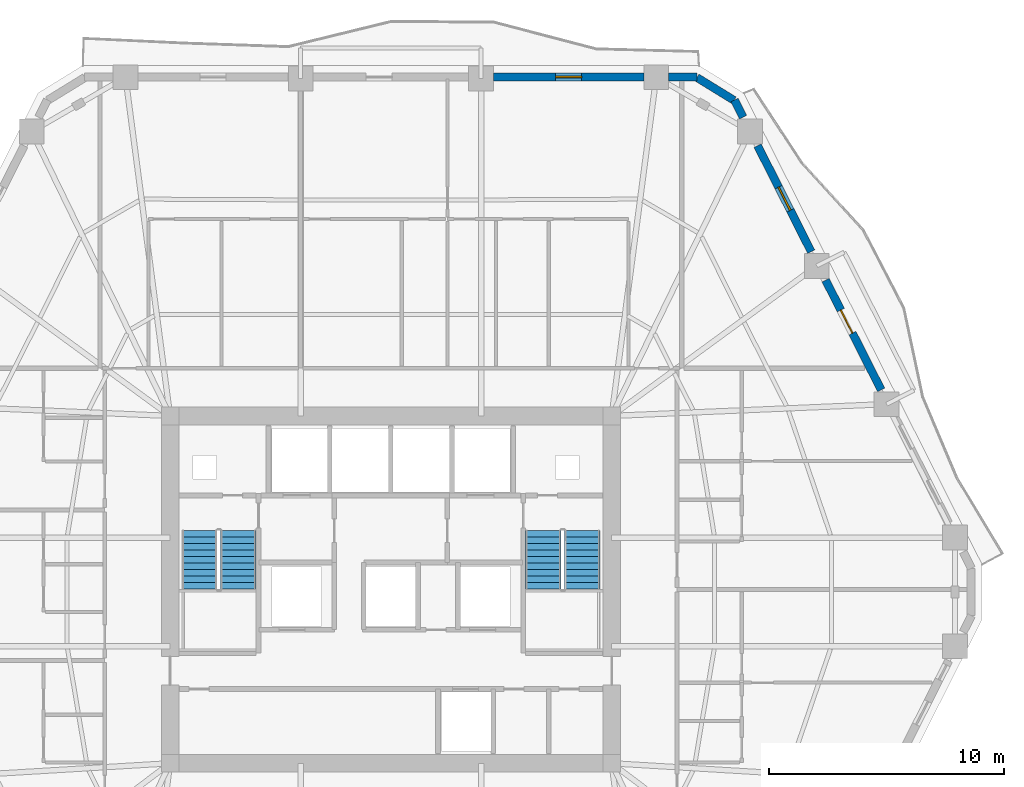
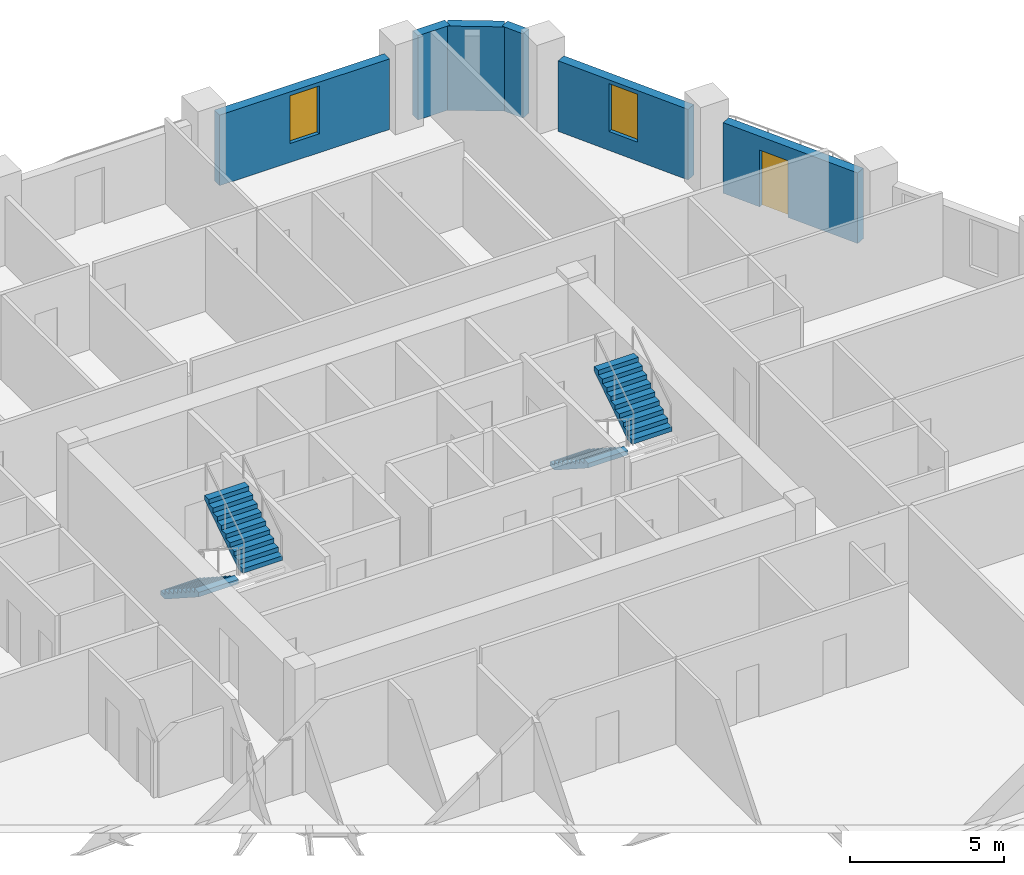
# One storey, part 8 of 11: 6 walls, 4 stair flights, 2 windows, 1 door, 3 openings, 2 elements without a shape of their own.
"""IFC4 building model written with IfcOpenShell, lengths in metres."""

from ifc_helpers import new_model, si_unit, direction, frame, frame_2d, origin, place, context, subcontext, project, spatial, polyline, rectangle, outline, extrude, material, layer, layer_set, type_object, element, fill, aggregate, save


model = new_model("IFC4")

# Units and contexts
model_context = context("Model", 3, precision=1e-05, world=origin(), true_north=direction((0.0, 1.0)))
body_context = subcontext(model_context, "Body", "Model", "MODEL_VIEW")
ifc_project = project(units=[si_unit("LENGTHUNIT", "METRE"), si_unit("AREAUNIT", "SQUARE_METRE"), si_unit("VOLUMEUNIT", "CUBIC_METRE"), si_unit("PLANEANGLEUNIT", "RADIAN"), si_unit("MASSUNIT", "GRAM", prefix="KILO")], contexts=[model_context])

# Site, building, storey
site_placement = place(None, origin())
site = spatial("IfcSite", under=ifc_project, at=site_placement, CompositionType="ELEMENT")
building_placement = place(site_placement, origin())
building = spatial("IfcBuilding", under=site, at=building_placement, Name="Cinnabar Lancet Tower", CompositionType="ELEMENT")
storey_placement = place(building_placement, frame((0.0, 0.0, 133.89990234375)))
storey = spatial("IfcBuildingStorey", under=building, at=storey_placement, Name="L35", CompositionType="ELEMENT", Elevation=133.89990234375)

# Wall
ifc_material_1 = material(Name="Cinnabar red clay brick", Category="masonry")
ifc_layer = layer(ifc_material_1, 0.340087890625)
ifc_layer_set = layer_set([ifc_layer], Name="Cinnabar red clay brick")
wall_type = type_object("IfcWallType", Name="ENV-WL-BRK-RED-340", PredefinedType="STANDARD", material=ifc_layer_set)
wall_1_placement = place(storey_placement, frame((46.970947265625, 46.677001953125, 0.0), z_axis=(0.0, 0.0, 1.0), x_axis=(-0.851798915137, 0.523868884523, 0.0)))
element("IfcWall", 1, at=wall_1_placement, inside=storey, type_object=wall_type, Name="L35 Chamfered Corner Brick Pier 4.1", PredefinedType="STANDARD", context=body_context, shape_type="SweptSolid", body=[
    extrude(rectangle(XDim=1.847900390625, YDim=0.340087890625, at=frame_2d((0.923828125, 0.0))), origin(), (0.0, 0.0, 1.0), 3.340087890625),
])

# Wall, opening, door
wall_2_placement = place(storey_placement, frame((53.219970703125, 34.382080078125, 0.0), z_axis=(0.0, 0.0, 1.0), x_axis=(-0.451567731634, 0.892236842855, 0.0)))
wall_2 = element("IfcWall", 2, at=wall_2_placement, inside=storey, type_object=wall_type, Name="L35 Face 3 Masonry Bay Wall 3", PredefinedType="STANDARD", context=body_context, shape_type="SweptSolid", body=[
    extrude(rectangle(XDim=5.219482421875, YDim=0.340087890625, at=frame_2d((2.60986328125, 0.0))), origin(), (0.0, 0.0, 1.0), 2.797119140625),
])
opening_1_placement = place(wall_2_placement, frame((2.698974609375, 0.0, 0.0)))
opening_1 = element("IfcOpeningElement", 3, at=opening_1_placement, cuts=wall_2, Name="Opening TD-01", PredefinedType="OPENING", context=body_context, shape_type="SweptSolid", body=[
    extrude(rectangle(XDim=1.10009765625, YDim=2.25, at=frame_2d((0.550048828125, 1.125))), frame((0.0, 0.179931640625, 0.0), z_axis=(0.0, -1.0, 0.0), x_axis=(1.0, 0.0, 0.0)), (0.0, 0.0, 1.0), 0.360107421875),
])
ifc_material_2 = material(Name="Thermally broken low-E glazed balcony terrace door", Category="wood")
door_type = type_object("IfcDoorType", Name="ARC-DR-BALC", OperationType="NOTDEFINED", PredefinedType="DOOR", material=ifc_material_2)
door_placement = place(opening_1_placement, origin())
door = element("IfcDoor", 4, at=door_placement, inside=storey, type_object=door_type, Name="L35 Face 3 Glazed Terrace Door", OperationType="SINGLE_SWING_RIGHT", OverallHeight=2.25, OverallWidth=1.10009765625, PredefinedType="DOOR", context=body_context, shape_type="SweptSolid", body=[
    extrude(rectangle(XDim=1.10009765625, YDim=2.25, at=frame_2d((0.550048828125, 1.125))), frame((0.0, 0.02490234375, 0.0), z_axis=(0.0, -1.0, 0.0), x_axis=(1.0, 0.0, 0.0)), (0.0, 0.0, 1.0), 0.050048828125),
])
fill(opening_1, door)

# Wall, opening, window
wall_3_placement = place(storey_placement, frame((50.2509765625, 40.2509765625, 0.0), z_axis=(0.0, 0.0, 1.0), x_axis=(-0.451548465867, 0.892246593142, 0.0)))
wall_3 = element("IfcWall", 5, at=wall_3_placement, inside=storey, type_object=wall_type, Name="L35 Face 3 Masonry Bay Wall 4", PredefinedType="STANDARD", context=body_context, shape_type="SweptSolid", body=[
    extrude(rectangle(XDim=5.040283203125, YDim=0.340087890625, at=frame_2d((2.52001953125, 0.0))), origin(), (0.0, 0.0, 1.0), 2.797119140625),
])
opening_2_placement = place(wall_3_placement, frame((1.969970703125, 0.0, 0.75)))
opening_2 = element("IfcOpeningElement", 6, at=opening_2_placement, cuts=wall_3, Name="Opening WN-04", PredefinedType="OPENING", context=body_context, shape_type="SweptSolid", body=[
    extrude(rectangle(XDim=1.10009765625, YDim=1.89697265625, at=frame_2d((0.550048828125, 0.948486328125))), frame((0.0, 0.179931640625, 0.0), z_axis=(0.0, -1.0, 0.0), x_axis=(1.0, 0.0, 0.0)), (0.0, 0.0, 1.0), 0.360107421875),
])
ifc_material_3 = material(Name="Thermally broken bronze-anodized aluminium tall lancet window", Category="aluminium")
window_type = type_object("IfcWindowType", Name="ENV-WN-LANCET-1100", PartitioningType="SINGLE_PANEL", PredefinedType="WINDOW", material=ifc_material_3)
window_1_placement = place(opening_2_placement, origin())
window_1 = element("IfcWindow", 7, at=window_1_placement, inside=storey, type_object=window_type, Name="L35 Face 3 Gothic Lancet Window 4", OverallHeight=1.89697265625, OverallWidth=1.10009765625, PartitioningType="SINGLE_PANEL", PredefinedType="WINDOW", context=body_context, shape_type="SweptSolid", body=[
    extrude(rectangle(XDim=1.10009765625, YDim=1.89697265625, at=frame_2d((0.550048828125, 0.948486328125))), frame((0.0, 0.030029296875, 0.0), z_axis=(0.0, -1.0, 0.0), x_axis=(1.0, 0.0, 0.0)), (0.0, 0.0, 1.0), 0.06005859375),
])
fill(opening_2, window_1)

# Walls
wall_4_placement = place(storey_placement, frame((47.362060546875, 45.9599609375, 0.0), z_axis=(0.0, 0.0, 1.0), x_axis=(-0.45160540153, 0.89221777684, 0.0)))
element("IfcWall", 8, at=wall_4_placement, inside=storey, type_object=wall_type, Name="L35 Face 3 Masonry Bay Wall 5", PredefinedType="STANDARD", context=body_context, shape_type="SweptSolid", body=[
    extrude(rectangle(XDim=0.82177734375, YDim=0.340087890625, at=frame_2d((0.410888671875, 0.0))), origin(), (0.0, 0.0, 1.0), 3.340087890625),
])
wall_5_placement = place(storey_placement, frame((45.402099609375, 47.669921875, 0.0), z_axis=(0.0, 0.0, 1.0), x_axis=(-1.0, 0.0, 0.0)))
element("IfcWall", 9, at=wall_5_placement, inside=storey, type_object=wall_type, Name="L35 Face 4 Masonry Bay Wall 1", PredefinedType="STANDARD", context=body_context, shape_type="SweptSolid", body=[
    extrude(rectangle(XDim=1.2041015625, YDim=0.340087890625, at=frame_2d((0.60205078125, 0.0))), origin(), (0.0, 0.0, 1.0), 3.340087890625),
])

# Wall, opening, window
wall_6_placement = place(storey_placement, frame((43.139892578125, 47.669921875, 0.0), z_axis=(0.0, 0.0, 1.0), x_axis=(-1.0, 0.0, 0.0)))
wall_6 = element("IfcWall", 10, at=wall_6_placement, inside=storey, type_object=wall_type, Name="L35 Face 4 Masonry Bay Wall 2", PredefinedType="STANDARD", context=body_context, shape_type="SweptSolid", body=[
    extrude(rectangle(XDim=6.37890625, YDim=0.340087890625, at=frame_2d((3.189453125, 0.0))), origin(), (0.0, 0.0, 1.0), 2.797119140625),
])
opening_3_placement = place(wall_6_placement, frame((2.638916015625, 0.0, 0.75)))
opening_3 = element("IfcOpeningElement", 11, at=opening_3_placement, cuts=wall_6, Name="Opening WN-04", PredefinedType="OPENING", context=body_context, shape_type="SweptSolid", body=[
    extrude(rectangle(XDim=1.10009765625, YDim=1.89697265625, at=frame_2d((0.550048828125, 0.948486328125))), frame((0.0, 0.179931640625, 0.0), z_axis=(0.0, -1.0, 0.0), x_axis=(1.0, 0.0, 0.0)), (0.0, 0.0, 1.0), 0.360107421875),
])
window_2_placement = place(opening_3_placement, origin())
window_2 = element("IfcWindow", 12, at=window_2_placement, inside=storey, type_object=window_type, Name="L35 Face 4 Gothic Lancet Window 2", OverallHeight=1.89697265625, OverallWidth=1.10009765625, PartitioningType="SINGLE_PANEL", PredefinedType="WINDOW", context=body_context, shape_type="SweptSolid", body=[
    extrude(rectangle(XDim=1.10009765625, YDim=1.89697265625, at=frame_2d((0.550048828125, 0.948486328125))), frame((0.0, 0.030029296875, 0.0), z_axis=(0.0, -1.0, 0.0), x_axis=(1.0, 0.0, 0.0)), (0.0, 0.0, 1.0), 0.06005859375),
])
fill(opening_3, window_2)

# Stair, stair flights
ifc_material_4 = material(Name="Concrete C40/50", Category="concrete")
stair_type = type_object("IfcStairType", Name="ST-CORE", PredefinedType="HALF_TURN_STAIR", material=ifc_material_4)
stair_1_placement = place(storey_placement, origin())
stair_1 = element("IfcStair", 13, at=stair_1_placement, inside=storey, type_object=stair_type, Name="L35 ST-1", PredefinedType="HALF_TURN_STAIR")
ifc_material_5 = material(Name="Concrete C40/50", Category="concrete")
stair_flight_type = type_object("IfcStairFlightType", Name="FLIGHT-CORE", PredefinedType="STRAIGHT", material=ifc_material_5)
stair_flight_1_placement = place(storey_placement, frame((24.27490234375, 28.39990234375, 0.0), z_axis=(0.0, 0.0, 1.0), x_axis=(0.0, -1.0, 0.0)))
stair_flight_1 = element("IfcStairFlight", 14, at=stair_flight_1_placement, type_object=stair_flight_type, Name="ST-1 flight 1", NumberOfRisers=10, NumberOfTreads=9, PredefinedType="STRAIGHT", RiserHeight=0.1775, TreadLength=0.275, context=body_context, shape_type="SweptSolid", body=[
    extrude(outline(polyline([(0.0, 0.0), (0.0, 0.177490234375), (0.27490234375, 0.177490234375), (0.27490234375, 0.35498046875), (0.550048828125, 0.35498046875), (0.550048828125, 0.532470703125), (0.824951171875, 0.532470703125), (0.824951171875, 0.7099609375), (1.10009765625, 0.7099609375), (1.10009765625, 0.887451171875), (1.375, 0.887451171875), (1.375, 1.06494140625), (1.64990234375, 1.06494140625), (1.64990234375, 1.242431640625), (1.925048828125, 1.242431640625), (1.925048828125, 1.419921875), (2.199951171875, 1.419921875), (2.199951171875, 1.597412109375), (2.47509765625, 1.597412109375), (2.47509765625, 1.77490234375), (2.47509765625, 1.419189453125), (0.2763671875, 0.0), (0.0, 0.0)])), frame((0.0, 0.75, 0.0), z_axis=(0.0, -1.0, 0.0), x_axis=(1.0, 0.0, 0.0)), (0.0, 0.0, 1.0), 1.5),
])
stair_flight_2_placement = place(storey_placement, frame((25.925048828125, 25.925048828125, 1.775146484375), z_axis=(0.0, 0.0, 1.0), x_axis=(0.0, 1.0, 0.0)))
stair_flight_2 = element("IfcStairFlight", 15, at=stair_flight_2_placement, type_object=stair_flight_type, Name="ST-1 flight 2", NumberOfRisers=10, NumberOfTreads=9, PredefinedType="STRAIGHT", RiserHeight=0.1775, TreadLength=0.275, context=body_context, shape_type="SweptSolid", body=[
    extrude(outline(polyline([(0.0, 0.0), (0.0, 0.177490234375), (0.27490234375, 0.177490234375), (0.27490234375, 0.35498046875), (0.550048828125, 0.35498046875), (0.550048828125, 0.532470703125), (0.824951171875, 0.532470703125), (0.824951171875, 0.7099609375), (1.10009765625, 0.7099609375), (1.10009765625, 0.887451171875), (1.375, 0.887451171875), (1.375, 1.06494140625), (1.64990234375, 1.06494140625), (1.64990234375, 1.242431640625), (1.925048828125, 1.242431640625), (1.925048828125, 1.419921875), (2.199951171875, 1.419921875), (2.199951171875, 1.597412109375), (2.47509765625, 1.597412109375), (2.47509765625, 1.77490234375), (2.47509765625, 1.419189453125), (0.2763671875, 0.0), (0.0, 0.0)])), frame((0.0, 0.75, 0.0), z_axis=(0.0, -1.0, 0.0), x_axis=(1.0, 0.0, 0.0)), (0.0, 0.0, 1.0), 1.5),
])
aggregate(stair_1, [stair_flight_1, stair_flight_2])

stair_2_placement = place(storey_placement, origin())
stair_2 = element("IfcStair", 16, at=stair_2_placement, inside=storey, type_object=stair_type, Name="L35 ST-2", PredefinedType="HALF_TURN_STAIR")
stair_flight_3_placement = place(storey_placement, frame((38.875, 28.39990234375, 0.0), z_axis=(0.0, 0.0, 1.0), x_axis=(0.0, -1.0, 0.0)))
stair_flight_3 = element("IfcStairFlight", 17, at=stair_flight_3_placement, type_object=stair_flight_type, Name="ST-2 flight 1", NumberOfRisers=10, NumberOfTreads=9, PredefinedType="STRAIGHT", RiserHeight=0.1775, TreadLength=0.275, context=body_context, shape_type="SweptSolid", body=[
    extrude(outline(polyline([(0.0, 0.0), (0.0, 0.177490234375), (0.27490234375, 0.177490234375), (0.27490234375, 0.35498046875), (0.550048828125, 0.35498046875), (0.550048828125, 0.532470703125), (0.824951171875, 0.532470703125), (0.824951171875, 0.7099609375), (1.10009765625, 0.7099609375), (1.10009765625, 0.887451171875), (1.375, 0.887451171875), (1.375, 1.06494140625), (1.64990234375, 1.06494140625), (1.64990234375, 1.242431640625), (1.925048828125, 1.242431640625), (1.925048828125, 1.419921875), (2.199951171875, 1.419921875), (2.199951171875, 1.597412109375), (2.47509765625, 1.597412109375), (2.47509765625, 1.77490234375), (2.47509765625, 1.419189453125), (0.2763671875, 0.0), (0.0, 0.0)])), frame((0.0, 0.75, 0.0), z_axis=(0.0, -1.0, 0.0), x_axis=(1.0, 0.0, 0.0)), (0.0, 0.0, 1.0), 1.5),
])
stair_flight_4_placement = place(storey_placement, frame((40.52490234375, 25.925048828125, 1.775146484375), z_axis=(0.0, 0.0, 1.0), x_axis=(0.0, 1.0, 0.0)))
stair_flight_4 = element("IfcStairFlight", 18, at=stair_flight_4_placement, type_object=stair_flight_type, Name="ST-2 flight 2", NumberOfRisers=10, NumberOfTreads=9, PredefinedType="STRAIGHT", RiserHeight=0.1775, TreadLength=0.275, context=body_context, shape_type="SweptSolid", body=[
    extrude(outline(polyline([(0.0, 0.0), (0.0, 0.177490234375), (0.27490234375, 0.177490234375), (0.27490234375, 0.35498046875), (0.550048828125, 0.35498046875), (0.550048828125, 0.532470703125), (0.824951171875, 0.532470703125), (0.824951171875, 0.7099609375), (1.10009765625, 0.7099609375), (1.10009765625, 0.887451171875), (1.375, 0.887451171875), (1.375, 1.06494140625), (1.64990234375, 1.06494140625), (1.64990234375, 1.242431640625), (1.925048828125, 1.242431640625), (1.925048828125, 1.419921875), (2.199951171875, 1.419921875), (2.199951171875, 1.597412109375), (2.47509765625, 1.597412109375), (2.47509765625, 1.77490234375), (2.47509765625, 1.419189453125), (0.2763671875, 0.0), (0.0, 0.0)])), frame((0.0, 0.75, 0.0), z_axis=(0.0, -1.0, 0.0), x_axis=(1.0, 0.0, 0.0)), (0.0, 0.0, 1.0), 1.5),
])
aggregate(stair_2, [stair_flight_3, stair_flight_4])

save(model, "model.ifc")
